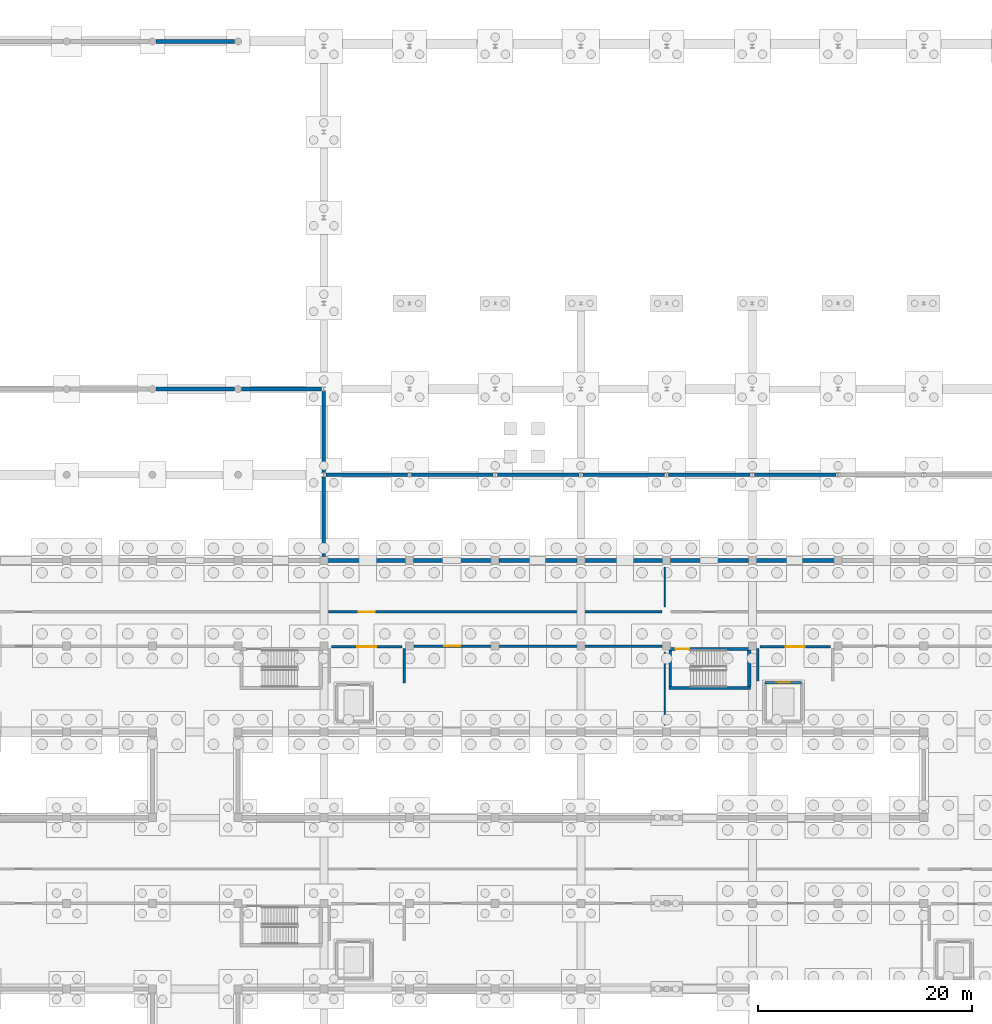
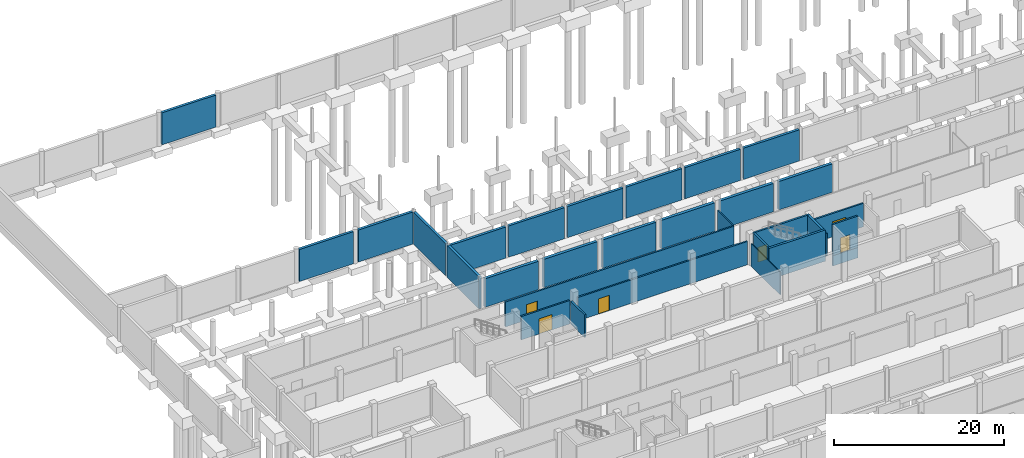
# One storey, part 41 of 51: 31 walls, 6 doors, 6 openings.
"""IFC4 building model written with IfcOpenShell, lengths in metres."""

import ifcopenshell
import ifcopenshell.guid

model = None  # the IFC model being written
_history = None  # IfcOwnerHistory: only IFC2X3 demands one
_inside = {}  # id of a spatial element -> (the spatial element, [elements in it])
_under = {}  # id of a project, library or spatial element -> (it, [spatial elements below it])
_declared = {}  # id of a project -> (the project, [libraries it declares])
_typed = {}  # id of a type object -> (the type object, [elements of that type])
_made_of = {}  # id of a material, layer set ... -> (it, [elements and type objects made of it])


def new_model(schema):
    """Start an empty IFC model of exactly this schema.

    Asked for "IFC4X3", IfcOpenShell would pick the latest addendum, in which some entities
    have other attributes; the version numbers below select the first issue.
    IFC2X3 requires an IfcOwnerHistory on every rooted entity: one is made here for all.
    """
    global model, _history
    if schema == "IFC4X3":
        model = ifcopenshell.file(schema_version=(4, 3, 0, 0))
    else:
        model = ifcopenshell.file(schema=schema)
    _inside.clear()
    _under.clear()
    _declared.clear()
    _typed.clear()
    _made_of.clear()
    _history = None
    if model.schema == "IFC2X3":
        org = make("IfcOrganization", Name="unknown")
        user = make(
            "IfcPersonAndOrganization",
            ThePerson=make("IfcPerson", FamilyName="unknown"),
            TheOrganization=org,
        )
        app = make(
            "IfcApplication",
            ApplicationDeveloper=org,
            Version="unknown",
            ApplicationFullName="unknown",
            ApplicationIdentifier="unknown",
        )
        _history = make(
            "IfcOwnerHistory",
            OwningUser=user,
            OwningApplication=app,
            ChangeAction="ADDED",
            CreationDate=0,
        )
    return model


def make(cls, **values):
    """One entity of the class cls with the attributes given. An attribute that is None is left unset."""
    return model.create_entity(
        cls, **{name: value for name, value in values.items() if value is not None}
    )


def rooted(cls, **values):
    """An entity with a GlobalId (a new one), such as an element, a storey or a relation."""
    return make(cls, GlobalId=ifcopenshell.guid.new(), OwnerHistory=_history, **values)


def si_unit(unit_type, name, prefix=None):
    """IfcSIUnit, for example si_unit("LENGTHUNIT", "METRE", prefix="MILLI")."""
    return make("IfcSIUnit", UnitType=unit_type, Prefix=prefix, Name=name)


def assignment(units):
    """IfcUnitAssignment: the units of a project."""
    return None if units is None else make("IfcUnitAssignment", Units=units)


def point(xyz):
    """IfcCartesianPoint."""
    return None if xyz is None else make("IfcCartesianPoint", Coordinates=xyz)


def direction(xyz):
    """IfcDirection."""
    return None if xyz is None else make("IfcDirection", DirectionRatios=xyz)


def frame(location, z_axis=None, x_axis=None):
    """IfcAxis2Placement3D, a coordinate frame: its origin and axes. An axis left out is left unset."""
    return make(
        "IfcAxis2Placement3D",
        Location=point(location),
        Axis=direction(z_axis),
        RefDirection=direction(x_axis),
    )


def frame_2d(location, x_axis=None):
    """IfcAxis2Placement2D, a coordinate frame in the plane: its origin and x axis."""
    return make(
        "IfcAxis2Placement2D", Location=point(location), RefDirection=direction(x_axis)
    )


def origin():
    """The frame at (0, 0, 0) with its axes left unset."""
    return frame((0.0, 0.0, 0.0))


def place(relative_to, where):
    """IfcLocalPlacement: puts the frame where relative to a parent placement (None: the world)."""
    return make(
        "IfcLocalPlacement", PlacementRelTo=relative_to, RelativePlacement=where
    )


def context(
    kind, dimensions, precision=None, world=None, true_north=None, identifier=None
):
    """IfcGeometricRepresentationContext, for example the 3D "Model" context."""
    return make(
        "IfcGeometricRepresentationContext",
        ContextIdentifier=identifier,
        ContextType=kind,
        CoordinateSpaceDimension=dimensions,
        Precision=precision,
        WorldCoordinateSystem=world,
        TrueNorth=true_north,
    )


def subcontext(parent, identifier, kind, view, scale=None):
    """IfcGeometricRepresentationSubContext, for example "Body" below "Model"."""
    return make(
        "IfcGeometricRepresentationSubContext",
        ContextIdentifier=identifier,
        ContextType=kind,
        ParentContext=parent,
        TargetScale=scale,
        TargetView=view,
    )


def project(units=None, contexts=None):
    """IfcProject with its units and contexts."""
    return rooted(
        "IfcProject",
        Name="project",
        RepresentationContexts=contexts,
        UnitsInContext=assignment(units),
    )


def spatial(cls, under=None, at=None, **own):
    """A site, building, storey or space (cls), placed at a placement, below another one or the project."""
    s = rooted(cls, ObjectPlacement=at, **own)
    if under is not None:
        _under.setdefault(under.id(), (under, []))[1].append(s)
    return s


def profile(cls, at=None, kind="AREA", **sizes):
    """A parametric profile (cls). Its sizes go by their IFC names, for example OverallWidth=200.0."""
    return make(cls, ProfileType=kind, Position=at, **sizes)


def rectangle(**sizes):
    """IfcRectangleProfileDef."""
    return profile("IfcRectangleProfileDef", **sizes)


def extrude(swept, where, along, depth):
    """IfcExtrudedAreaSolid: the profile swept, set in the frame where, extruded along a direction by depth."""
    return make(
        "IfcExtrudedAreaSolid",
        SweptArea=swept,
        Position=where,
        ExtrudedDirection=direction(along),
        Depth=depth,
    )


def shape(context_of_items, identifier, shape_type, items):
    """IfcShapeRepresentation: the items that make up one representation, for example the "Body"."""
    return make(
        "IfcShapeRepresentation",
        ContextOfItems=context_of_items,
        RepresentationIdentifier=identifier,
        RepresentationType=shape_type,
        Items=items,
    )


def material(Name=None, Category=None):
    """IfcMaterial."""
    return make("IfcMaterial", Name=Name, Category=Category)


def layer(
    of_material, thickness, ventilated=None, Name=None, Category=None, Priority=None
):
    """IfcMaterialLayer: one layer of a wall or slab, of a material (None: an air gap)."""
    return make(
        "IfcMaterialLayer",
        Material=of_material,
        LayerThickness=thickness,
        IsVentilated=ventilated,
        Name=Name,
        Category=Category,
        Priority=Priority,
    )


def layer_set(layers, Name=None):
    """IfcMaterialLayerSet."""
    return make("IfcMaterialLayerSet", MaterialLayers=layers, LayerSetName=Name)


def made_of(thing, what):
    """Note that an element or type object is made of a material, layer set ...; save() writes the relation."""
    if what is not None:
        _made_of.setdefault(what.id(), (what, []))[1].append(thing)
    return thing


def type_object(cls, material=None, **own):
    """A type object (cls), such as IfcWallType, which elements share."""
    return made_of(rooted(cls, **own), material)


def element(
    cls,
    number,
    at=None,
    inside=None,
    cuts=None,
    type_object=None,
    material=None,
    context=None,
    identifier="Body",
    shape_type=None,
    held_by="IfcProductDefinitionShape",
    body=None,
    shapes=None,
    **own,
):
    """One element of the class cls, such as IfcWall. Its Tag is "e" and its number.

    at: its placement. inside: the storey or other place that contains it. cuts: it is an
    opening in that element (IfcRelVoidsElement). A single representation is given by context,
    identifier, shape_type and body (its items); several are given by shapes. held_by: the class
    of the entity that holds the representations. save() writes the other relations.
    """
    e = rooted(cls, Tag="e%d" % number, ObjectPlacement=at, **own)
    if body is not None:
        shapes = [shape(context, identifier, shape_type, body)]
    if shapes is not None:
        e.Representation = make(held_by, Representations=shapes)
    if inside is not None:
        _inside.setdefault(inside.id(), (inside, []))[1].append(e)
    if cuts is not None:
        rooted(
            "IfcRelVoidsElement", RelatingBuildingElement=cuts, RelatedOpeningElement=e
        )
    if type_object is not None:
        _typed.setdefault(type_object.id(), (type_object, []))[1].append(e)
    return made_of(e, material)


def fill(opening, filler):
    """IfcRelFillsElement: the door or window that sits in an opening."""
    return rooted(
        "IfcRelFillsElement",
        RelatingOpeningElement=opening,
        RelatedBuildingElement=filler,
    )


def aggregate(whole, parts):
    """IfcRelAggregates: a whole, such as a stair, and the parts it consists of."""
    return rooted("IfcRelAggregates", RelatingObject=whole, RelatedObjects=parts)


def save(model, path):
    """Write the relations noted so far, then the file.

    IfcRelAggregates (storeys below a building ...), IfcRelContainedInSpatialStructure (elements
    in a storey), IfcRelDefinesByType, IfcRelAssociatesMaterial and IfcRelDeclares: one each for
    every whole, place, type object, material and project.
    """
    for whole, parts in _under.values():
        aggregate(whole, parts)
    for where, things in _inside.values():
        rooted(
            "IfcRelContainedInSpatialStructure",
            RelatedElements=things,
            RelatingStructure=where,
        )
    for kind, things in _typed.values():
        rooted("IfcRelDefinesByType", RelatedObjects=things, RelatingType=kind)
    for what, things in _made_of.values():
        rooted("IfcRelAssociatesMaterial", RelatedObjects=things, RelatingMaterial=what)
    for by, libraries in _declared.values():
        rooted("IfcRelDeclares", RelatingContext=by, RelatedDefinitions=libraries)
    model.write(path)


model = new_model("IFC4")

# Units and contexts
model_context = context("Model", 3, precision=1e-05, world=origin(), true_north=direction((0.0, 1.0)))
body_context = subcontext(model_context, "Body", "Model", "MODEL_VIEW")
ifc_project = project(units=[si_unit("LENGTHUNIT", "METRE"), si_unit("AREAUNIT", "SQUARE_METRE"), si_unit("VOLUMEUNIT", "CUBIC_METRE"), si_unit("PLANEANGLEUNIT", "RADIAN"), si_unit("MASSUNIT", "GRAM", prefix="KILO")], contexts=[model_context])

# Site, building, storey
site_placement = place(None, origin())
site = spatial("IfcSite", under=ifc_project, at=site_placement, CompositionType="ELEMENT")
building_placement = place(site_placement, origin())
building = spatial("IfcBuilding", under=site, at=building_placement, Name="Jelvoka-Kovrelna Polytechnic", CompositionType="ELEMENT")
storey_placement = place(building_placement, frame((0.0, 0.0, -4.5)))
storey = spatial("IfcBuildingStorey", under=building, at=storey_placement, Name="B01", CompositionType="ELEMENT", Elevation=-4.5)

# Wall, opening, door
ifc_material_1 = material(Name="Concrete C35/45", Category="concrete")
ifc_layer_1 = layer(ifc_material_1, 0.219970703125)
ifc_layer_set_1 = layer_set([ifc_layer_1], Name="Concrete C35/45")
wall_type_1 = type_object("IfcWallType", Name="Wall_Compartment_220", PredefinedType="PARTITIONING", material=ifc_layer_set_1)
wall_1_placement = place(storey_placement, frame((88.699951171875, 63.949951171875, 0.0), z_axis=(0.0, 0.0, 1.0), x_axis=(1.0, 0.0, 0.0)))
wall_1 = element("IfcWall", 1, at=wall_1_placement, inside=storey, type_object=wall_type_1, Name="B01 interior wall 0261", PredefinedType="PARTITIONING", context=body_context, shape_type="SweptSolid", body=[
    extrude(rectangle(XDim=6.60009765625, YDim=0.219970703125, at=frame_2d((3.300048828125, 0.0))), origin(), (0.0, 0.0, 1.0), 3.3701171875),
])
opening_1_placement = place(wall_1_placement, frame((2.39990234375, 0.0, 0.0)))
opening_1 = element("IfcOpeningElement", 2, at=opening_1_placement, cuts=wall_1, Name="Opening FD-B01-064", PredefinedType="OPENING", context=body_context, shape_type="SweptSolid", body=[
    extrude(rectangle(XDim=1.800048828125, YDim=2.199951171875, at=frame_2d((0.89990234375, 1.10009765625))), frame((0.0, 0.119873046875, 0.0), z_axis=(0.0, -1.0, 0.0), x_axis=(1.0, 0.0, 0.0)), (0.0, 0.0, 1.0), 0.239990234375),
])
ifc_material_2 = material(Name="Paired steel corridor fire door", Category="steel")
door_type_1 = type_object("IfcDoorType", Name="Door_Fire_FD03", OperationType="NOTDEFINED", PredefinedType="DOOR", material=ifc_material_2)
door_1_placement = place(opening_1_placement, origin())
door_1 = element("IfcDoor", 3, at=door_1_placement, inside=storey, type_object=door_type_1, Name="B01 interior door FD-B01-064", OperationType="DOUBLE_DOOR_SINGLE_SWING", OverallHeight=2.199951171875, OverallWidth=1.800048828125, PredefinedType="DOOR", context=body_context, shape_type="SweptSolid", body=[
    extrude(rectangle(XDim=1.800048828125, YDim=2.199951171875, at=frame_2d((0.89990234375, 1.10009765625))), frame((0.0, 0.02490234375, 0.0), z_axis=(0.0, -1.0, 0.0), x_axis=(1.0, 0.0, 0.0)), (0.0, 0.0, 1.0), 0.050048828125),
])
fill(opening_1, door_1)

# Wall
wall_2_placement = place(storey_placement, frame((95.5, 60.550048828125, 0.0), z_axis=(0.0, 0.0, 1.0), x_axis=(0.0, 1.0, 0.0)))
element("IfcWall", 4, at=wall_2_placement, inside=storey, type_object=wall_type_1, Name="B01 interior wall 0263", PredefinedType="PARTITIONING", context=body_context, shape_type="SweptSolid", body=[
    extrude(rectangle(XDim=3.25, YDim=0.219970703125, at=frame_2d((1.625, 0.0))), origin(), (0.0, 0.0, 1.0), 3.27001953125),
])

# Wall, opening, door
wall_3_placement = place(storey_placement, frame((128.699951171875, 63.949951171875, 0.0), z_axis=(0.0, 0.0, 1.0), x_axis=(1.0, 0.0, 0.0)))
wall_3 = element("IfcWall", 5, at=wall_3_placement, inside=storey, type_object=wall_type_1, Name="B01 interior wall 0632", PredefinedType="PARTITIONING", context=body_context, shape_type="SweptSolid", body=[
    extrude(rectangle(XDim=6.60009765625, YDim=0.219970703125, at=frame_2d((3.300048828125, 0.0))), origin(), (0.0, 0.0, 1.0), 3.3701171875),
])
opening_2_placement = place(wall_3_placement, frame((2.39990234375, 0.0, 0.0)))
opening_2 = element("IfcOpeningElement", 6, at=opening_2_placement, cuts=wall_3, Name="Opening FD-B01-109", PredefinedType="OPENING", context=body_context, shape_type="SweptSolid", body=[
    extrude(rectangle(XDim=1.800048828125, YDim=2.199951171875, at=frame_2d((0.89990234375, 1.10009765625))), frame((0.0, 0.119873046875, 0.0), z_axis=(0.0, -1.0, 0.0), x_axis=(1.0, 0.0, 0.0)), (0.0, 0.0, 1.0), 0.239990234375),
])
door_2_placement = place(opening_2_placement, origin())
door_2 = element("IfcDoor", 7, at=door_2_placement, inside=storey, type_object=door_type_1, Name="B01 interior door FD-B01-109", OperationType="DOUBLE_DOOR_SINGLE_SWING", OverallHeight=2.199951171875, OverallWidth=1.800048828125, PredefinedType="DOOR", context=body_context, shape_type="SweptSolid", body=[
    extrude(rectangle(XDim=1.800048828125, YDim=2.199951171875, at=frame_2d((0.89990234375, 1.10009765625))), frame((0.0, 0.02490234375, 0.0), z_axis=(0.0, -1.0, 0.0), x_axis=(1.0, 0.0, 0.0)), (0.0, 0.0, 1.0), 0.050048828125),
])
fill(opening_2, door_2)

# Wall
wall_4_placement = place(storey_placement, frame((128.5, 60.75, 0.0), z_axis=(0.0, 0.0, 1.0), x_axis=(0.0, 1.0, 0.0)))
element("IfcWall", 8, at=wall_4_placement, inside=storey, type_object=wall_type_1, Name="B01 interior wall 0633", PredefinedType="PARTITIONING", context=body_context, shape_type="SweptSolid", body=[
    extrude(rectangle(XDim=3.050048828125, YDim=0.219970703125, at=frame_2d((1.52490234375, 0.0))), origin(), (0.0, 0.0, 1.0), 3.27001953125),
])

# Wall, opening, door
wall_5_placement = place(storey_placement, frame((96.429931640625, 64.0, 0.0), z_axis=(0.0, 0.0, 1.0), x_axis=(1.0, 0.0, 0.0)))
wall_5 = element("IfcWall", 9, at=wall_5_placement, inside=storey, type_object=wall_type_1, Name="B01 interior wall 0832", PredefinedType="PARTITIONING", context=body_context, shape_type="SweptSolid", body=[
    extrude(rectangle(XDim=23.14013671875, YDim=0.219970703125, at=frame_2d((11.570068359375, 0.0))), origin(), (0.0, 0.0, 1.0), 3.3701171875),
])
opening_3_placement = place(wall_5_placement, frame((2.820068359375, 0.0, 0.0)))
opening_3 = element("IfcOpeningElement", 10, at=opening_3_placement, cuts=wall_5, Name="Opening D-B01-142", PredefinedType="OPENING", context=body_context, shape_type="SweptSolid", body=[
    extrude(rectangle(XDim=1.5, YDim=2.199951171875, at=frame_2d((0.75, 1.10009765625))), frame((0.0, 0.119873046875, 0.0), z_axis=(0.0, -1.0, 0.0), x_axis=(1.0, 0.0, 0.0)), (0.0, 0.0, 1.0), 0.239990234375),
])
ifc_material_3 = material(Name="Paired steel stair lobby fire door", Category="steel")
door_type_2 = type_object("IfcDoorType", Name="Door_Fire_FD04", OperationType="NOTDEFINED", PredefinedType="DOOR", material=ifc_material_3)
door_3_placement = place(opening_3_placement, origin())
door_3 = element("IfcDoor", 11, at=door_3_placement, inside=storey, type_object=door_type_2, Name="B01 interior door D-B01-142", OperationType="DOUBLE_DOOR_SINGLE_SWING", OverallHeight=2.199951171875, OverallWidth=1.5, PredefinedType="DOOR", context=body_context, shape_type="SweptSolid", body=[
    extrude(rectangle(XDim=1.5, YDim=2.199951171875, at=frame_2d((0.75, 1.10009765625))), frame((0.0, 0.02490234375, 0.0), z_axis=(0.0, -1.0, 0.0), x_axis=(1.0, 0.0, 0.0)), (0.0, 0.0, 1.0), 0.050048828125),
])
fill(opening_3, door_3)

wall_6_placement = place(storey_placement, frame((88.429931640625, 67.199951171875, 0.0), z_axis=(0.0, 0.0, 1.0), x_axis=(1.0, 0.0, 0.0)))
wall_6 = element("IfcWall", 12, at=wall_6_placement, inside=storey, type_object=wall_type_1, Name="B01 interior wall 0837", PredefinedType="PARTITIONING", context=body_context, shape_type="SweptSolid", body=[
    extrude(rectangle(XDim=31.14013671875, YDim=0.219970703125, at=frame_2d((15.570068359375, 0.0))), origin(), (0.0, 0.0, 1.0), 3.60009765625),
])
opening_4_placement = place(wall_6_placement, frame((2.820068359375, 0.0, 0.0)))
opening_4 = element("IfcOpeningElement", 13, at=opening_4_placement, cuts=wall_6, Name="Opening D-B01-146", PredefinedType="OPENING", context=body_context, shape_type="SweptSolid", body=[
    extrude(rectangle(XDim=1.5, YDim=2.199951171875, at=frame_2d((0.75, 1.10009765625))), frame((0.0, 0.119873046875, 0.0), z_axis=(0.0, -1.0, 0.0), x_axis=(1.0, 0.0, 0.0)), (0.0, 0.0, 1.0), 0.239990234375),
])
door_4_placement = place(opening_4_placement, origin())
door_4 = element("IfcDoor", 14, at=door_4_placement, inside=storey, type_object=door_type_2, Name="B01 interior door D-B01-146", OperationType="DOUBLE_DOOR_SINGLE_SWING", OverallHeight=2.199951171875, OverallWidth=1.5, PredefinedType="DOOR", context=body_context, shape_type="SweptSolid", body=[
    extrude(rectangle(XDim=1.5, YDim=2.199951171875, at=frame_2d((0.75, 1.10009765625))), frame((0.0, 0.02490234375, 0.0), z_axis=(0.0, -1.0, 0.0), x_axis=(1.0, 0.0, 0.0)), (0.0, 0.0, 1.0), 0.050048828125),
])
fill(opening_4, door_4)

ifc_material_4 = material(Name="Concrete C40/50", Category="concrete")
ifc_layer_2 = layer(ifc_material_4, 0.25)
ifc_layer_set_2 = layer_set([ifc_layer_2], Name="Concrete C40/50")
wall_type_2 = type_object("IfcWallType", Name="Wall_Core_250", PredefinedType="SOLIDWALL", material=ifc_layer_set_2)
wall_7_placement = place(storey_placement, frame((120.199951171875, 63.739990234375, 0.0), z_axis=(0.0, 0.0, 1.0), x_axis=(1.0, 0.0, 0.0)))
wall_7 = element("IfcWall", 15, at=wall_7_placement, inside=storey, type_object=wall_type_2, Name="B01 interior wall 0219", PredefinedType="SOLIDWALL", context=body_context, shape_type="SweptSolid", body=[
    extrude(rectangle(XDim=7.650146484375, YDim=0.25, at=frame_2d((3.8251953125, 0.0))), origin(), (0.0, 0.0, 1.0), 4.5),
])
opening_5_placement = place(wall_7_placement, frame((0.64990234375, 0.0, 0.0)))
opening_5 = element("IfcOpeningElement", 16, at=opening_5_placement, cuts=wall_7, Name="Opening SD-B01-055", PredefinedType="OPENING", context=body_context, shape_type="SweptSolid", body=[
    extrude(rectangle(XDim=1.25, YDim=2.14990234375, at=frame_2d((0.625, 1.074951171875))), frame((0.0, 0.135009765625, 0.0), z_axis=(0.0, -1.0, 0.0), x_axis=(1.0, 0.0, 0.0)), (0.0, 0.0, 1.0), 0.27001953125),
])
ifc_material_5 = material(Name="Powder-coated steel fire door", Category="steel")
door_type_3 = type_object("IfcDoorType", Name="Door_Fire_FD02", OperationType="NOTDEFINED", PredefinedType="DOOR", material=ifc_material_5)
door_5_placement = place(opening_5_placement, origin())
door_5 = element("IfcDoor", 17, at=door_5_placement, inside=storey, type_object=door_type_3, Name="B01 interior door SD-B01-055", OperationType="SINGLE_SWING_LEFT", OverallHeight=2.14990234375, OverallWidth=1.25, PredefinedType="DOOR", context=body_context, shape_type="SweptSolid", body=[
    extrude(rectangle(XDim=1.25, YDim=2.14990234375, at=frame_2d((0.625, 1.074951171875))), frame((0.0, 0.02490234375, 0.0), z_axis=(0.0, -1.0, 0.0), x_axis=(1.0, 0.0, 0.0)), (0.0, 0.0, 1.0), 0.050048828125),
])
fill(opening_5, door_5)

# Walls
wall_8_placement = place(storey_placement, frame((120.324951171875, 60.25, 0.0), z_axis=(0.0, 0.0, 1.0), x_axis=(0.0, 1.0, 0.0)))
element("IfcWall", 18, at=wall_8_placement, inside=storey, type_object=wall_type_2, Name="B01 interior wall 0220", PredefinedType="SOLIDWALL", context=body_context, shape_type="SweptSolid", body=[
    extrude(rectangle(XDim=3.360107421875, YDim=0.25, at=frame_2d((1.68017578125, 0.0))), origin(), (0.0, 0.0, 1.0), 4.5),
])
wall_9_placement = place(storey_placement, frame((132.60009765625, 60.60009765625, -1.5), z_axis=(0.0, 0.0, 1.0), x_axis=(-1.0, 0.0, 0.0)))
element("IfcWall", 19, at=wall_9_placement, inside=storey, type_object=wall_type_2, Name="B01 interior wall 0626", PredefinedType="SOLIDWALL", context=body_context, shape_type="SweptSolid", body=[
    extrude(rectangle(XDim=3.400146484375, YDim=0.25, at=frame_2d((1.7001953125, 0.0))), origin(), (0.0, 0.0, 1.0), 1.5),
])

# Wall, opening, door
wall_10_placement = place(storey_placement, frame((129.199951171875, 60.60009765625, 0.0), z_axis=(0.0, 0.0, 1.0), x_axis=(1.0, 0.0, 0.0)))
wall_10 = element("IfcWall", 20, at=wall_10_placement, inside=storey, type_object=wall_type_2, Name="B01 interior wall 0629", PredefinedType="SOLIDWALL", context=body_context, shape_type="SweptSolid", body=[
    extrude(rectangle(XDim=3.400146484375, YDim=0.25, at=frame_2d((1.7001953125, 0.0))), origin(), (0.0, 0.0, 1.0), 4.5),
])
opening_6_placement = place(wall_10_placement, frame((1.050048828125, 0.0, 0.0)))
opening_6 = element("IfcOpeningElement", 21, at=opening_6_placement, cuts=wall_10, Name="Opening LD-B01-46", PredefinedType="OPENING", context=body_context, shape_type="SweptSolid", body=[
    extrude(rectangle(XDim=1.300048828125, YDim=2.199951171875, at=frame_2d((0.64990234375, 1.10009765625))), frame((0.0, 0.135009765625, 0.0), z_axis=(0.0, -1.0, 0.0), x_axis=(1.0, 0.0, 0.0)), (0.0, 0.0, 1.0), 0.27001953125),
])
ifc_material_6 = material(Name="Heavy-duty stainless goods lift landing door", Category="wood")
door_type_4 = type_object("IfcDoorType", Name="Door_Lift_LD02", OperationType="NOTDEFINED", PredefinedType="DOOR", material=ifc_material_6)
door_6_placement = place(opening_6_placement, origin())
door_6 = element("IfcDoor", 22, at=door_6_placement, inside=storey, type_object=door_type_4, Name="B01 lift landing sliding door LD-B01-46", OperationType="DOUBLE_DOOR_SLIDING", OverallHeight=2.199951171875, OverallWidth=1.300048828125, PredefinedType="DOOR", context=body_context, shape_type="SweptSolid", body=[
    extrude(rectangle(XDim=1.300048828125, YDim=2.199951171875, at=frame_2d((0.64990234375, 1.10009765625))), frame((0.0, 0.02490234375, 0.0), z_axis=(0.0, -1.0, 0.0), x_axis=(1.0, 0.0, 0.0)), (0.0, 0.0, 1.0), 0.050048828125),
])
fill(opening_6, door_6)

# Walls
ifc_material_7 = material(Name="Acoustic gypsum stud partition")
ifc_layer_3 = layer(ifc_material_7, 0.125)
ifc_layer_set_3 = layer_set([ifc_layer_3], Name="Acoustic gypsum stud partition")
wall_type_3 = type_object("IfcWallType", Name="Wall_Partition_125", PredefinedType="PARTITIONING", material=ifc_layer_set_3)
wall_11_placement = place(storey_placement, frame((119.820068359375, 56.6201171875, 0.0), z_axis=(0.0, 0.0, 1.0), x_axis=(0.0, 1.0, 0.0)))
element("IfcWall", 23, at=wall_11_placement, inside=storey, type_object=wall_type_3, Name="B01 interior wall 0833", PredefinedType="PARTITIONING", context=body_context, shape_type="SweptSolid", body=[
    extrude(rectangle(XDim=6.809814453125, YDim=0.125, at=frame_2d((3.40478515625, 0.0))), origin(), (0.0, 0.0, 1.0), 3.27001953125),
])
wall_12_placement = place(storey_placement, frame((119.820068359375, 67.669921875, 0.0), z_axis=(0.0, 0.0, 1.0), x_axis=(0.0, 1.0, 0.0)))
element("IfcWall", 24, at=wall_12_placement, inside=storey, type_object=wall_type_3, Name="B01 interior wall 0838", PredefinedType="PARTITIONING", context=body_context, shape_type="SweptSolid", body=[
    extrude(rectangle(XDim=3.7099609375, YDim=0.125, at=frame_2d((1.85498046875, 0.0))), origin(), (0.0, 0.0, 1.0), 3.27001953125),
])
ifc_material_8 = material(Name="Concrete C35/45", Category="concrete")
ifc_layer_4 = layer(ifc_material_8, 0.35009765625)
ifc_layer_set_4 = layer_set([ifc_layer_4], Name="Concrete C35/45")
wall_type_4 = type_object("IfcWallType", Name="Wall_Retaining_350", PredefinedType="USERDEFINED", material=ifc_layer_set_4)
wall_13_placement = place(storey_placement, frame((72.3369140625, 88.0, -0.405029296875), z_axis=(0.0, 0.0, 1.0), x_axis=(1.0, 0.0, 0.0)))
element("IfcWall", 25, at=wall_13_placement, inside=storey, type_object=wall_type_4, Name="B01 exterior wall 0195", ObjectType="RETAININGWALL", PredefinedType="USERDEFINED", context=body_context, shape_type="SweptSolid", body=[
    extrude(rectangle(XDim=7.326171875, YDim=0.35009765625, at=frame_2d((3.6630859375, 0.0))), origin(), (0.0, 0.0, 1.0), 4.6201171875),
])
wall_14_placement = place(storey_placement, frame((80.3369140625, 88.0, -0.405029296875), z_axis=(0.0, 0.0, 1.0), x_axis=(1.0, 0.0, 0.0)))
element("IfcWall", 26, at=wall_14_placement, inside=storey, type_object=wall_type_4, Name="B01 exterior wall 0196", ObjectType="RETAININGWALL", PredefinedType="USERDEFINED", context=body_context, shape_type="SweptSolid", body=[
    extrude(rectangle(XDim=7.443115234375, YDim=0.35009765625, at=frame_2d((3.7216796875, 0.0))), origin(), (0.0, 0.0, 1.0), 4.6201171875),
])
wall_15_placement = place(storey_placement, frame((88.0, 72.386962890625, -0.405029296875), z_axis=(0.0, 0.0, 1.0), x_axis=(0.0, 1.0, 0.0)))
element("IfcWall", 27, at=wall_15_placement, inside=storey, type_object=wall_type_4, Name="B01 exterior wall 0199", ObjectType="RETAININGWALL", PredefinedType="USERDEFINED", context=body_context, shape_type="SweptSolid", body=[
    extrude(rectangle(XDim=7.42333984375, YDim=0.35009765625, at=frame_2d((3.711669921875, 0.0))), origin(), (0.0, 0.0, 1.0), 4.6201171875),
])
wall_16_placement = place(storey_placement, frame((88.0, 80.189697265625, -0.405029296875), z_axis=(0.0, 0.0, 1.0), x_axis=(0.0, 1.0, 0.0)))
element("IfcWall", 28, at=wall_16_placement, inside=storey, type_object=wall_type_4, Name="B01 exterior wall 0200", ObjectType="RETAININGWALL", PredefinedType="USERDEFINED", context=body_context, shape_type="SweptSolid", body=[
    extrude(rectangle(XDim=7.59033203125, YDim=0.35009765625, at=frame_2d((3.795166015625, 0.0))), origin(), (0.0, 0.0, 1.0), 4.6201171875),
])
wall_17_placement = place(storey_placement, frame((88.219970703125, 80.0, -0.405029296875), z_axis=(0.0, 0.0, 1.0), x_axis=(1.0, 0.0, 0.0)))
element("IfcWall", 29, at=wall_17_placement, inside=storey, type_object=wall_type_4, Name="B01 exterior wall 0201", ObjectType="RETAININGWALL", PredefinedType="USERDEFINED", context=body_context, shape_type="SweptSolid", body=[
    extrude(rectangle(XDim=7.583740234375, YDim=0.35009765625, at=frame_2d((3.7919921875, 0.0))), origin(), (0.0, 0.0, 1.0), 4.4951171875),
])
for number, where, z_axis, x_axis, name in (
    (30, (96.1962890625, 80.0, -0.405029296875), (0.0, 0.0, 1.0), (1.0, 0.0, 0.0), "B01 exterior wall 0202"),
    (31, (104.1962890625, 80.0, -0.405029296875), (0.0, 0.0, 1.0), (1.0, 0.0, 0.0), "B01 exterior wall 0203"),
    (32, (112.1962890625, 80.0, -0.405029296875), (0.0, 0.0, 1.0), (1.0, 0.0, 0.0), "B01 exterior wall 0204"),
    (33, (120.1962890625, 80.0, -0.405029296875), (0.0, 0.0, 1.0), (1.0, 0.0, 0.0), "B01 exterior wall 0205"),
    (34, (128.1962890625, 80.0, -0.405029296875), (0.0, 0.0, 1.0), (1.0, 0.0, 0.0), "B01 exterior wall 0206"),
):
    element("IfcWall", number, at=place(storey_placement, frame(where, z_axis=z_axis, x_axis=x_axis)), inside=storey, type_object=wall_type_4, Name=name, ObjectType="RETAININGWALL", PredefinedType="USERDEFINED", context=body_context, shape_type="SweptSolid", body=[
        extrude(rectangle(XDim=7.607421875, YDim=0.35009765625, at=frame_2d((3.8037109375, 0.0))), origin(), (0.0, 0.0, 1.0), 4.4951171875),
    ])
wall_18_placement = place(storey_placement, frame((72.3369140625, 120.449951171875, -0.405029296875), z_axis=(0.0, 0.0, 1.0), x_axis=(1.0, 0.0, 0.0)))
element("IfcWall", 35, at=wall_18_placement, inside=storey, type_object=wall_type_4, Name="B01 exterior wall 0223", ObjectType="RETAININGWALL", PredefinedType="USERDEFINED", context=body_context, shape_type="SweptSolid", body=[
    extrude(rectangle(XDim=7.326171875, YDim=0.35009765625, at=frame_2d((3.6630859375, 0.0))), origin(), (0.0, 0.0, 1.0), 4.6201171875),
])
ifc_material_9 = material(Name="Concrete C35/45", Category="concrete")
ifc_layer_5 = layer(ifc_material_9, 0.39990234375)
ifc_layer_set_5 = layer_set([ifc_layer_5], Name="Concrete C35/45")
wall_type_5 = type_object("IfcWallType", Name="Wall_Retaining_400", PredefinedType="USERDEFINED", material=ifc_layer_set_5)
for number, where, z_axis, x_axis, name in (
    (36, (88.35009765625, 72.0, 0.0), (0.0, 0.0, 1.0), (1.0, 0.0, 0.0), "B01 exterior wall 0079"),
    (37, (96.35009765625, 72.0, 0.0), (0.0, 0.0, 1.0), (1.0, 0.0, 0.0), "B01 exterior wall 0081"),
    (38, (104.35009765625, 72.0, 0.0), (0.0, 0.0, 1.0), (1.0, 0.0, 0.0), "B01 exterior wall 0083"),
    (39, (112.35009765625, 72.0, 0.0), (0.0, 0.0, 1.0), (1.0, 0.0, 0.0), "B01 exterior wall 0085"),
    (40, (120.35009765625, 72.0, 0.0), (0.0, 0.0, 1.0), (1.0, 0.0, 0.0), "B01 exterior wall 0087"),
    (41, (128.35009765625, 72.0, 0.0), (0.0, 0.0, 1.0), (1.0, 0.0, 0.0), "B01 exterior wall 0089"),
):
    element("IfcWall", number, at=place(storey_placement, frame(where, z_axis=z_axis, x_axis=x_axis)), inside=storey, type_object=wall_type_5, Name=name, ObjectType="RETAININGWALL", PredefinedType="USERDEFINED", context=body_context, shape_type="SweptSolid", body=[
        extrude(rectangle(XDim=7.2998046875, YDim=0.39990234375, at=frame_2d((3.64990234375, 0.0))), origin(), (0.0, 0.0, 1.0), 4.094970703125),
    ])
ifc_material_10 = material(Name="Concrete C40/50", Category="concrete")
ifc_layer_6 = layer(ifc_material_10, 0.300048828125)
ifc_layer_set_6 = layer_set([ifc_layer_6], Name="Concrete C40/50")
wall_type_6 = type_object("IfcWallType", Name="Wall_Shear_300", PredefinedType="SHEAR", material=ifc_layer_set_6)
wall_19_placement = place(storey_placement, frame((120.199951171875, 60.090087890625, 0.0), z_axis=(0.0, 0.0, 1.0), x_axis=(1.0, 0.0, 0.0)))
element("IfcWall", 42, at=wall_19_placement, inside=storey, type_object=wall_type_6, Name="B01 interior wall 0217", PredefinedType="SHEAR", context=body_context, shape_type="SweptSolid", body=[
    extrude(rectangle(XDim=7.650146484375, YDim=0.300048828125, at=frame_2d((3.8251953125, 0.0))), origin(), (0.0, 0.0, 1.0), 4.5),
])
wall_20_placement = place(storey_placement, frame((127.7099609375, 60.25, 0.0), z_axis=(0.0, 0.0, 1.0), x_axis=(0.0, 1.0, 0.0)))
element("IfcWall", 43, at=wall_20_placement, inside=storey, type_object=wall_type_6, Name="B01 interior wall 0218", PredefinedType="SHEAR", context=body_context, shape_type="SweptSolid", body=[
    extrude(rectangle(XDim=3.360107421875, YDim=0.300048828125, at=frame_2d((1.68017578125, 0.0))), origin(), (0.0, 0.0, 1.0), 4.5),
])

save(model, "model.ifc")
